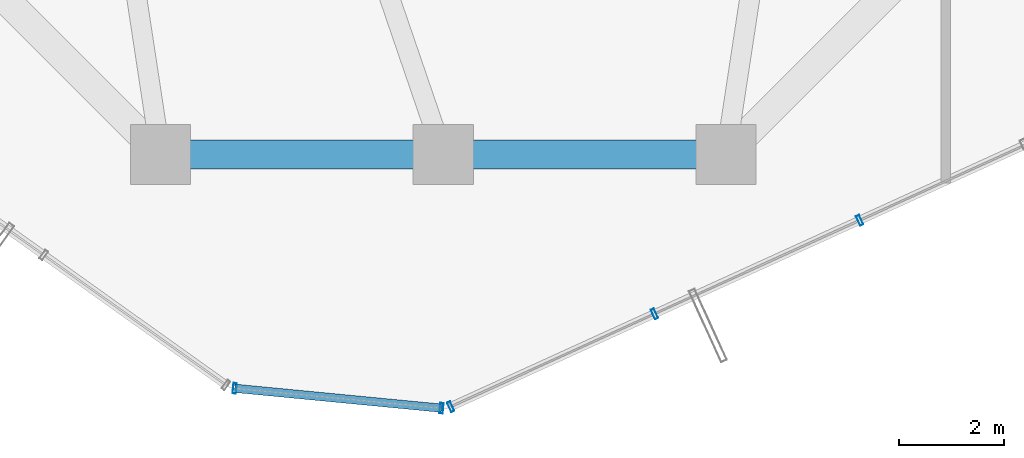
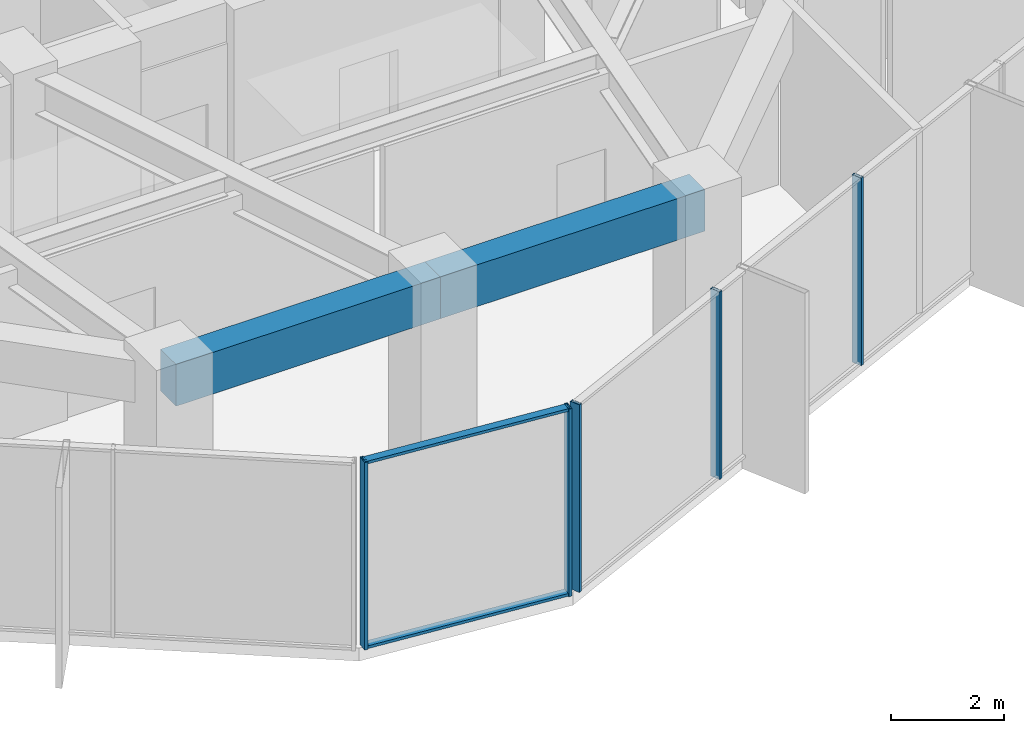
# One storey, part 5 of 25: 7 members, 2 beams, 2 elements without a shape of their own.
"""IFC4 building model written with IfcOpenShell, lengths in metres."""

from ifc_helpers import new_model, si_unit, direction, frame, origin, origin_2d, place, context, subcontext, project, spatial, rectangle, hollow_rectangle, extrude, source, transform, mapped, material, layer, layer_set, material_profile, profile_set, type_object, element, aggregate, save


model = new_model("IFC4")

# Units and contexts
model_context = context("Model", 3, precision=1e-05, world=origin(), true_north=direction((0.0, 1.0)))
body_context = subcontext(model_context, "Body", "Model", "MODEL_VIEW")
ifc_project = project(units=[si_unit("LENGTHUNIT", "METRE"), si_unit("AREAUNIT", "SQUARE_METRE"), si_unit("VOLUMEUNIT", "CUBIC_METRE"), si_unit("PLANEANGLEUNIT", "RADIAN"), si_unit("MASSUNIT", "GRAM", prefix="KILO")], contexts=[model_context])

# Site, building, storey
site_placement = place(None, origin())
site = spatial("IfcSite", under=ifc_project, at=site_placement, CompositionType="ELEMENT")
building_placement = place(site_placement, origin())
building = spatial("IfcBuilding", under=site, at=building_placement, Name="Veraguas Prism Commons", CompositionType="ELEMENT")
storey_placement = place(building_placement, frame((0.0, 0.0, 108.949951171875)))
storey = spatial("IfcBuildingStorey", under=building, at=storey_placement, Name="L30", CompositionType="ELEMENT", Elevation=108.949951171875)

# Beams
ifc_material_1 = material(Name="Concrete C50/60", Category="concrete")
ifc_material_profile_1 = material_profile(ifc_material_1, rectangle(XDim=0.550048828125, YDim=0.89990234375, at=origin_2d()), Name="RC550X900")
ifc_profile_set_1 = profile_set([ifc_material_profile_1], Name="Concrete C50/60")
beam_type = type_object("IfcBeamType", Name="Perimeter Spandrel Lower RC 550x900", PredefinedType="SPANDREL", material=ifc_profile_set_1)
for number, where, z_axis, x_axis, name in (
    (1, (18.60009765625, 7.800048828125, 3.60009765625), (1.0, 0.0, 0.0), (0.0, 1.0, 0.0), "Perimeter Spandrel Beam L30-SP10"),
    (2, (24.0, 7.800048828125, 3.60009765625), (1.0, 0.0, 0.0), (0.0, 1.0, 0.0), "Perimeter Spandrel Beam L30-SP11"),
):
    element("IfcBeam", number, at=place(storey_placement, frame(where, z_axis=z_axis, x_axis=x_axis)), inside=storey, type_object=beam_type, Name=name, PredefinedType="SPANDREL", context=body_context, shape_type="SweptSolid", body=[
        extrude(rectangle(XDim=0.550048828125, YDim=0.89990234375, at=origin_2d()), origin(), (0.0, 0.0, 1.0), 5.39990234375),
    ])

# Curtain wall, members
ifc_material_2 = material(Name="Anodised aluminium EN AW-6063 T6", Category="aluminium")
ifc_layer = layer(ifc_material_2, 0.199951171875, Name="Sky Lobby and Pool Acoustic Curtain Wall", Category="aluminium")
ifc_layer_set = layer_set([ifc_layer], Name="Anodised aluminium EN AW-6063 T6")
curtain_wall_type = type_object("IfcCurtainWallType", Name="Sky Lobby and Pool Acoustic Curtain Wall", PredefinedType="NOTDEFINED", material=ifc_layer_set)
curtain_wall_1_placement = place(storey_placement, origin())
curtain_wall_1 = element("IfcCurtainWall", 3, at=curtain_wall_1_placement, inside=storey, type_object=curtain_wall_type, Name="Tower Facade Curtain Wall L30-F5", PredefinedType="NOTDEFINED")
ifc_material_profile_2 = material_profile(ifc_material_2, hollow_rectangle(XDim=0.06494140625, YDim=0.199951171875, WallThickness=0.00390625, at=origin_2d()), Name="AL65X200X4")
ifc_profile_set_2 = profile_set([ifc_material_profile_2], Name="Anodised aluminium EN AW-6063 T6")
member_type_1 = type_object("IfcMemberType", Name="Curtain Wall Mullion Heavy AL 65x200x4", PredefinedType="MULLION", material=ifc_profile_set_2)
shared_shape_1 = source(origin(), body_context, "Body", "SweptSolid", [
    extrude(hollow_rectangle(XDim=0.06494140625, YDim=0.199951171875, WallThickness=0.00390625, at=origin_2d()), origin(), (0.0, 0.0, 1.0), 4.050048828125),
])
member_1_placement = place(storey_placement, frame((24.14306640625, 2.984619140625, 0.0), z_axis=(0.0, 0.0, 1.0), x_axis=(0.909960547099, 0.414694830838, 0.0)))
member_1 = element("IfcMember", 4, at=member_1_placement, type_object=member_type_1, Name="CW-SKY Mullion 1", PredefinedType="MULLION", context=body_context, shape_type="MappedRepresentation", body=[
    mapped(shared_shape_1, transform((0.0, 0.0, 0.0), scale=1.0)),
])
member_2_placement = place(storey_placement, frame((28.0341796875, 4.758056640625, 0.0), z_axis=(0.0, 0.0, 1.0), x_axis=(0.909960547099, 0.414694830838, 0.0)))
member_2 = element("IfcMember", 5, at=member_2_placement, type_object=member_type_1, Name="CW-SKY Mullion 2", PredefinedType="MULLION", context=body_context, shape_type="MappedRepresentation", body=[
    mapped(shared_shape_1, transform((0.0, 0.0, 0.0), scale=1.0)),
])
member_3_placement = place(storey_placement, frame((31.954833984375, 6.544677734375, 0.0), z_axis=(0.0, 0.0, 1.0), x_axis=(0.909960547099, 0.414694830838, 0.0)))
member_3 = element("IfcMember", 6, at=member_3_placement, type_object=member_type_1, Name="CW-SKY Mullion 3", PredefinedType="MULLION", context=body_context, shape_type="MappedRepresentation", body=[
    mapped(shared_shape_1, transform((0.0, 0.0, 0.0), scale=1.0)),
])
aggregate(curtain_wall_1, [member_1, member_2, member_3])

curtain_wall_2_placement = place(storey_placement, origin())
curtain_wall_2 = element("IfcCurtainWall", 7, at=curtain_wall_2_placement, inside=storey, type_object=curtain_wall_type, Name="Chamfer Curtain Wall L30-C5", PredefinedType="NOTDEFINED")
member_4_placement = place(storey_placement, frame((20.016845703125, 3.33544921875, 0.0), z_axis=(0.0, 0.0, 1.0), x_axis=(0.995397703786, -0.095830116861, 0.0)))
member_4 = element("IfcMember", 8, at=member_4_placement, type_object=member_type_1, Name="CW-SKY Mullion 1", PredefinedType="MULLION", context=body_context, shape_type="MappedRepresentation", body=[
    mapped(shared_shape_1, transform((0.0, 0.0, 0.0), scale=1.0)),
])
member_5_placement = place(storey_placement, frame((23.966796875, 2.955322265625, 0.0), z_axis=(0.0, 0.0, 1.0), x_axis=(0.995397703786, -0.095830116861, 0.0)))
member_5 = element("IfcMember", 9, at=member_5_placement, type_object=member_type_1, Name="CW-SKY Mullion 2", PredefinedType="MULLION", context=body_context, shape_type="MappedRepresentation", body=[
    mapped(shared_shape_1, transform((0.0, 0.0, 0.0), scale=1.0)),
])
ifc_material_profile_3 = material_profile(ifc_material_2, hollow_rectangle(XDim=0.06005859375, YDim=0.159912109375, WallThickness=0.0029296875, at=origin_2d()), Name="AL60X160X3")
ifc_profile_set_3 = profile_set([ifc_material_profile_3], Name="Anodised aluminium EN AW-6063 T6")
member_type_2 = type_object("IfcMemberType", Name="Curtain Wall Transom Heavy AL 60x160x3", PredefinedType="USERDEFINED", material=ifc_profile_set_3)
shared_shape_2 = source(origin(), body_context, "Body", "SweptSolid", [
    extrude(hollow_rectangle(XDim=0.06005859375, YDim=0.159912109375, WallThickness=0.0029296875, at=origin_2d()), origin(), (0.0, 0.0, 1.0), 3.96826171875),
])
member_6_placement = place(storey_placement, frame((20.016845703125, 3.33544921875, 0.030029296875), z_axis=(0.995401247919, -0.095793296434, 0.0), x_axis=(0.0, 0.0, 1.0)))
member_6 = element("IfcMember", 10, at=member_6_placement, type_object=member_type_2, Name="CW-SKY Transom 1", ObjectType="TRANSOM", PredefinedType="USERDEFINED", context=body_context, shape_type="MappedRepresentation", body=[
    mapped(shared_shape_2, transform((0.0, 0.0, 0.0), scale=1.0)),
])
member_7_placement = place(storey_placement, frame((20.016845703125, 3.33544921875, 4.02001953125), z_axis=(0.995401247919, -0.095793296434, 0.0), x_axis=(0.0, 0.0, 1.0)))
member_7 = element("IfcMember", 11, at=member_7_placement, type_object=member_type_2, Name="CW-SKY Transom 2", ObjectType="TRANSOM", PredefinedType="USERDEFINED", context=body_context, shape_type="MappedRepresentation", body=[
    mapped(shared_shape_2, transform((0.0, 0.0, 0.0), scale=1.0)),
])
aggregate(curtain_wall_2, [member_4, member_5, member_6, member_7])

save(model, "model.ifc")
